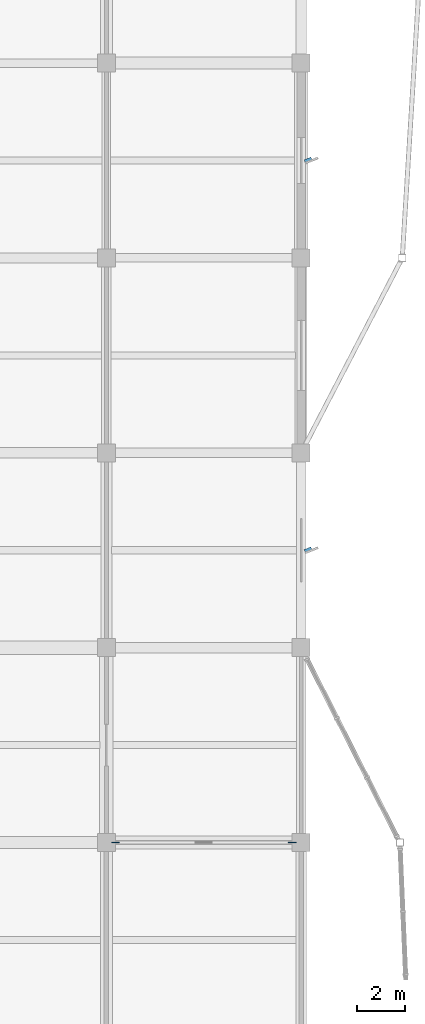
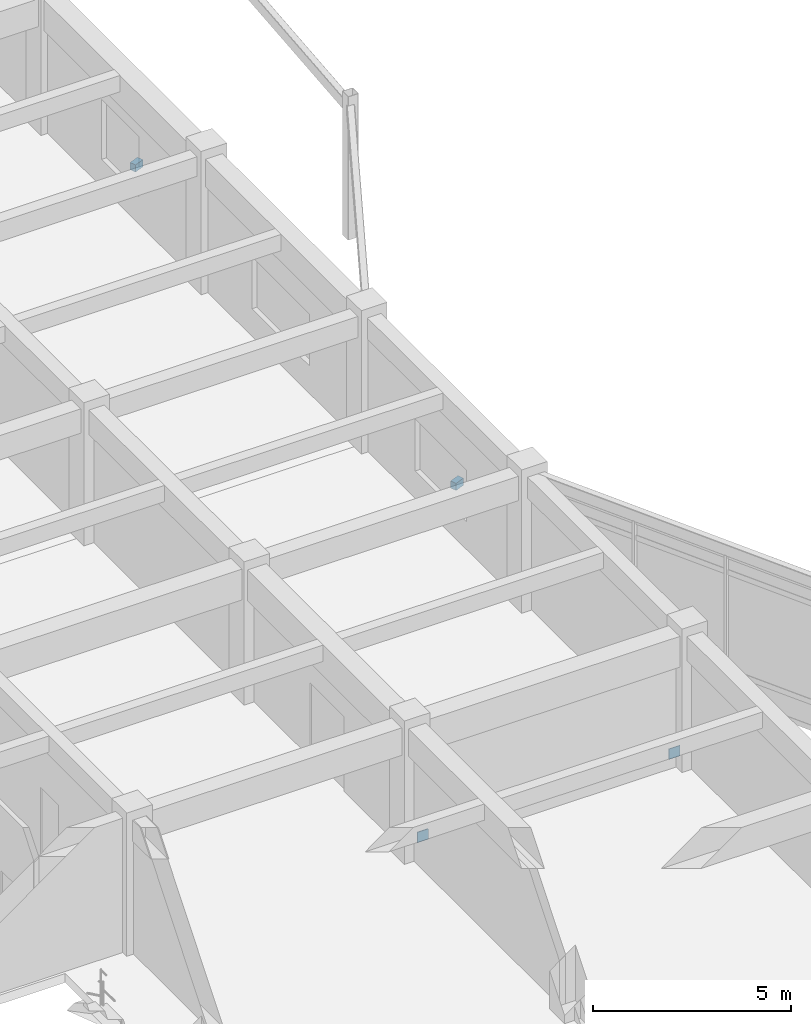
# One storey, part 78 of 89: 4 discrete accessories.
"""IFC4 building model written with IfcOpenShell, lengths in metres."""

from ifc_helpers import new_model, si_unit, direction, frame, origin, origin_2d, place, context, subcontext, project, spatial, rectangle, extrude, material, type_object, element, save


model = new_model("IFC4")

# Units and contexts
model_context = context("Model", 3, precision=1e-05, world=origin(), true_north=direction((0.0, 1.0)))
body_context = subcontext(model_context, "Body", "Model", "MODEL_VIEW")
ifc_project = project(units=[si_unit("LENGTHUNIT", "METRE"), si_unit("AREAUNIT", "SQUARE_METRE"), si_unit("VOLUMEUNIT", "CUBIC_METRE"), si_unit("PLANEANGLEUNIT", "RADIAN"), si_unit("MASSUNIT", "GRAM", prefix="KILO")], contexts=[model_context])

# Site, building, storey
site_placement = place(None, origin())
site = spatial("IfcSite", under=ifc_project, at=site_placement, CompositionType="ELEMENT")
building_placement = place(site_placement, origin())
building = spatial("IfcBuilding", under=site, at=building_placement, Name="Vaudrelin Polytechnic", CompositionType="ELEMENT")
storey_placement = place(building_placement, frame((0.0, 0.0, 9.68994140625)))
storey = spatial("IfcBuildingStorey", under=building, at=storey_placement, Name="L02", CompositionType="ELEMENT", Elevation=9.68994140625)

# Discrete accessories
ifc_material_1 = material(Name="Steel CSA G40.21 350WT", Category="steel")
discrete_accessory_type_1 = type_object("IfcDiscreteAccessoryType", Name="ACC-CPL-01", PredefinedType="BRACKET", material=ifc_material_1)
for number, where, z_axis, x_axis, name in (
    (1, (162.375, 48.60009765625, 0.240234375), (0.0, 0.0, 1.0), (1.0, 0.0, 0.0), "Brace end connection plate CPL-023"),
    (2, (169.72509765625, 48.60009765625, 0.240234375), (0.0, 0.0, 1.0), (1.0, 0.0, 0.0), "Brace end connection plate CPL-024"),
):
    element("IfcDiscreteAccessory", number, at=place(storey_placement, frame(where, z_axis=z_axis, x_axis=x_axis)), inside=storey, type_object=discrete_accessory_type_1, Name=name, PredefinedType="BRACKET", context=body_context, shape_type="SweptSolid", body=[
        extrude(rectangle(XDim=0.320068359375, YDim=0.02392578125, at=origin_2d()), origin(), (0.0, 0.0, 1.0), 0.320068359375),
    ])
ifc_material_2 = material(Name="Galvanised steel CSA G40.21 350W", Category="steel")
discrete_accessory_type_2 = type_object("IfcDiscreteAccessoryType", Name="ENV-BRK-01", PredefinedType="BRACKET", material=ifc_material_2)
for number, where, z_axis, x_axis, name in (
    (3, (170.39501953125, 60.75, 0.990234375), (0.0, 0.0, 1.0), (0.927183854567, 0.374606593416, 0.0), "Solar fin support bracket BRK-027"),
    (4, (170.39501953125, 76.949951171875, 0.990234375), (0.0, 0.0, 1.0), (0.927183854567, 0.374606593416, 0.0), "Solar fin support bracket BRK-028"),
):
    element("IfcDiscreteAccessory", number, at=place(storey_placement, frame(where, z_axis=z_axis, x_axis=x_axis)), inside=storey, type_object=discrete_accessory_type_2, Name=name, PredefinedType="BRACKET", context=body_context, shape_type="SweptSolid", body=[
        extrude(rectangle(XDim=0.300048828125, YDim=0.179931640625, at=origin_2d()), origin(), (0.0, 0.0, 1.0), 0.219970703125),
    ])

save(model, "model.ifc")
